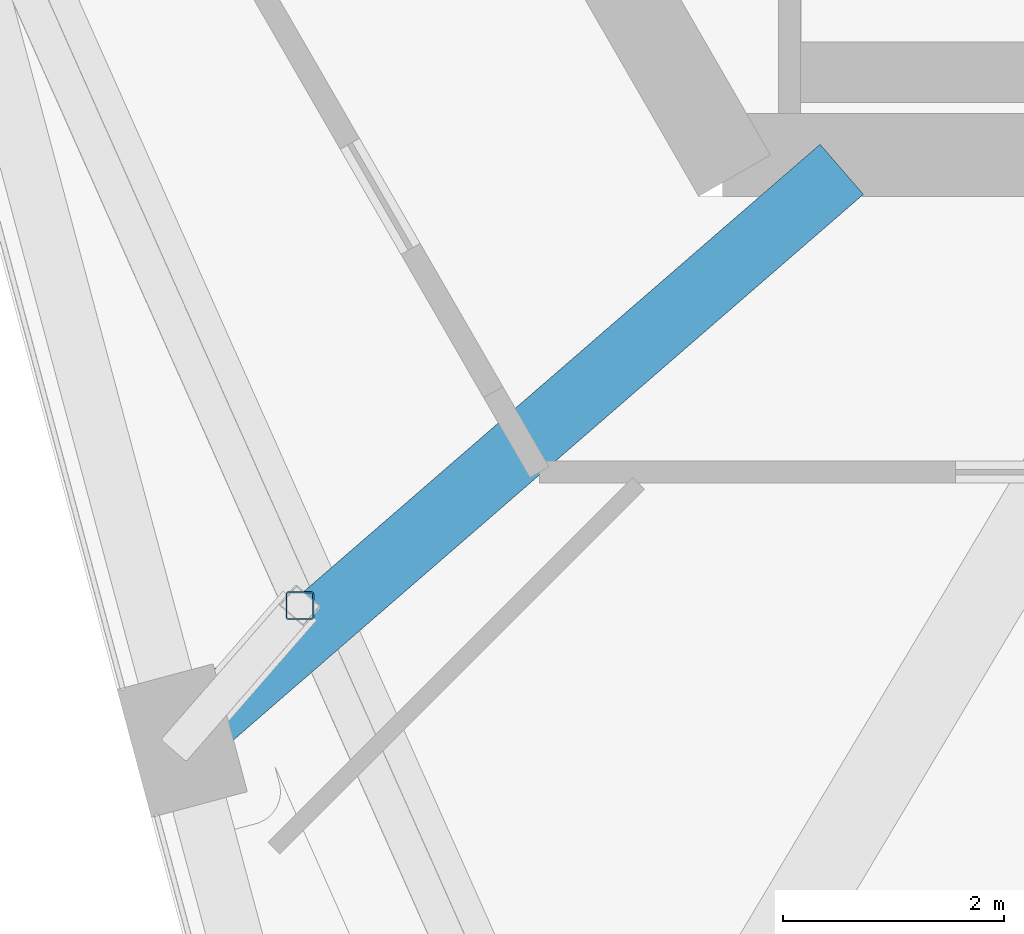
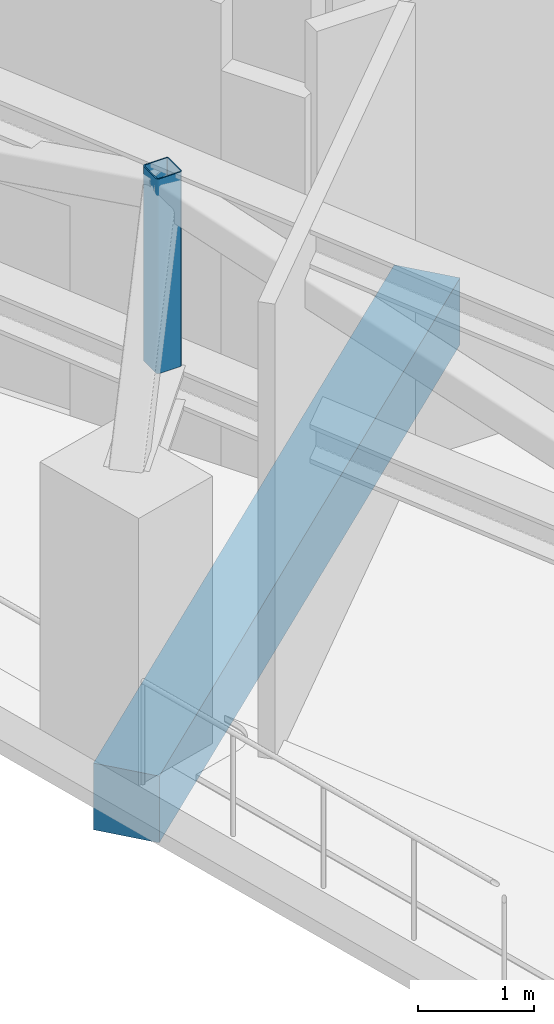
# One storey, part 4 of 22: 1 beam, 1 member.
"""IFC4 building model written with IfcOpenShell, lengths in metres."""

from ifc_helpers import new_model, si_unit, direction, frame, origin, origin_2d, place, context, subcontext, project, spatial, rectangle, hollow_rectangle, extrude, material, material_profile, profile_set, type_object, element, save


model = new_model("IFC4")

# Units and contexts
model_context = context("Model", 3, precision=1e-05, world=origin(), true_north=direction((0.0, 1.0)))
body_context = subcontext(model_context, "Body", "Model", "MODEL_VIEW")
ifc_project = project(units=[si_unit("LENGTHUNIT", "METRE"), si_unit("AREAUNIT", "SQUARE_METRE"), si_unit("VOLUMEUNIT", "CUBIC_METRE"), si_unit("PLANEANGLEUNIT", "RADIAN"), si_unit("MASSUNIT", "GRAM", prefix="KILO")], contexts=[model_context])

# Site, building, storey
site_placement = place(None, origin())
site = spatial("IfcSite", under=ifc_project, at=site_placement, CompositionType="ELEMENT")
building_placement = place(site_placement, origin())
building = spatial("IfcBuilding", under=site, at=building_placement, Name="Tramontana Tower", CompositionType="ELEMENT")
storey_placement = place(building_placement, frame((0.0, 0.0, 232.0)))
storey = spatial("IfcBuildingStorey", under=building, at=storey_placement, Name="L54", CompositionType="ELEMENT", Elevation=232.0)

# Member
ifc_material_1 = material(Name="Steel ASTM A500 Grade C", Category="steel")
ifc_material_profile_1 = material_profile(ifc_material_1, hollow_rectangle(XDim=0.25390625, YDim=0.25390625, WallThickness=0.01171875, InnerFilletRadius=0.01171875, OuterFilletRadius=0.023681640625, at=origin_2d()), Name="HSS10X10X1/2")
ifc_profile_set_1 = profile_set([ifc_material_profile_1], Name="Steel ASTM A500 Grade C")
member_type = type_object("IfcMemberType", Name="Belt truss HSS10X10X1/2 post", PredefinedType="POST", material=ifc_profile_set_1)
member_placement = place(storey_placement, frame((-12.419677734375, -10.458984375, 2.806396484375), z_axis=(0.0, 0.0, 1.0), x_axis=(1.0, 0.0, 0.0)))
element("IfcMember", 1, at=member_placement, inside=storey, type_object=member_type, Name="Belt truss post C6F03", PredefinedType="POST", context=body_context, shape_type="SweptSolid", body=[
    extrude(hollow_rectangle(XDim=0.25390625, YDim=0.25390625, WallThickness=0.01171875, InnerFilletRadius=0.01171875, OuterFilletRadius=0.023681640625, at=origin_2d()), origin(), (0.0, 0.0, 1.0), 2.043701171875),
])

# Beam
ifc_material_2 = material(Name="Concrete 40 MPa", Category="concrete")
ifc_material_profile_2 = material_profile(ifc_material_2, rectangle(XDim=0.60009765625, YDim=0.699951171875, at=origin_2d()), Name="RC GIRDER 600X700 40 MPa")
ifc_profile_set_2 = profile_set([ifc_material_profile_2], Name="Concrete 40 MPa")
beam_type = type_object("IfcBeamType", Name="RC GIRDER 600X700 40 MPa", PredefinedType="BEAM", material=ifc_profile_set_2)
beam_placement = place(storey_placement, frame((-13.48583984375, -11.6826171875, -0.699951171875), z_axis=(0.755833701345, 0.654763633619, 0.0), x_axis=(-0.654763633619, 0.755833701345, 0.0)))
element("IfcBeam", 2, at=beam_placement, inside=storey, type_object=beam_type, Name="Radial girder C5F04 L54", PredefinedType="BEAM", context=body_context, shape_type="SweptSolid", body=[
    extrude(rectangle(XDim=0.60009765625, YDim=0.699951171875, at=origin_2d()), origin(), (0.0, 0.0, 1.0), 7.908447265625),
])

save(model, "model.ifc")
